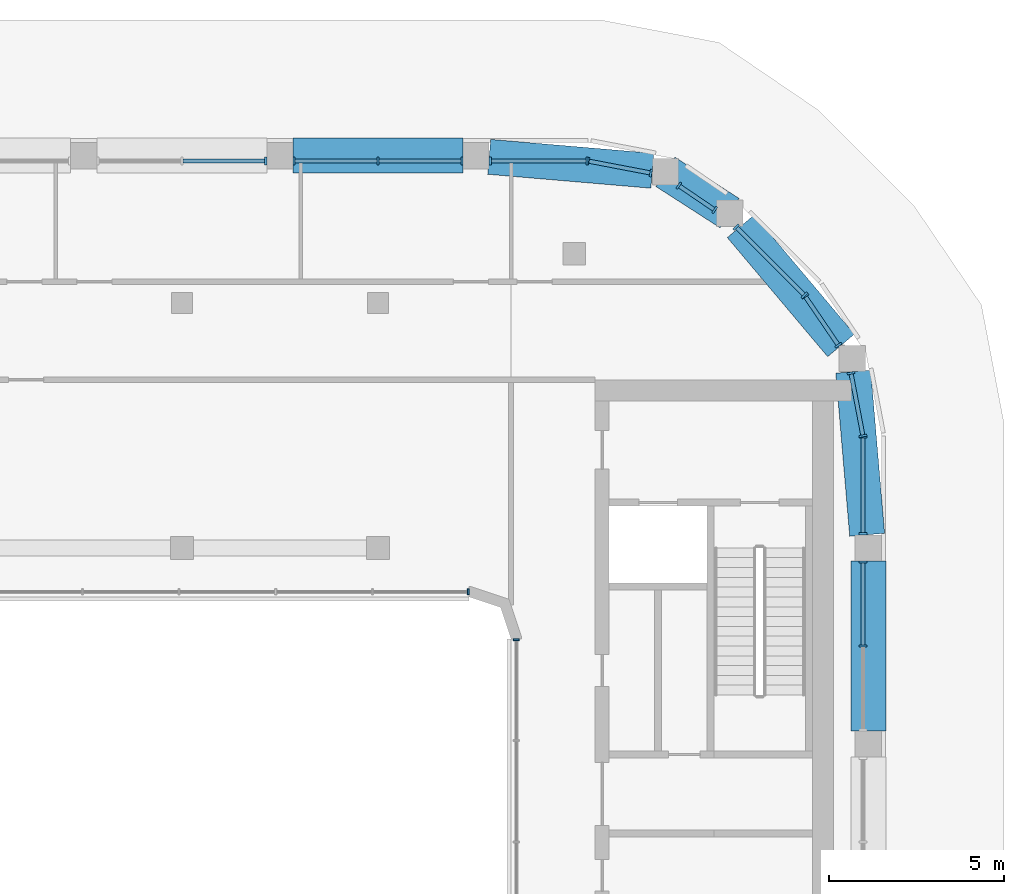
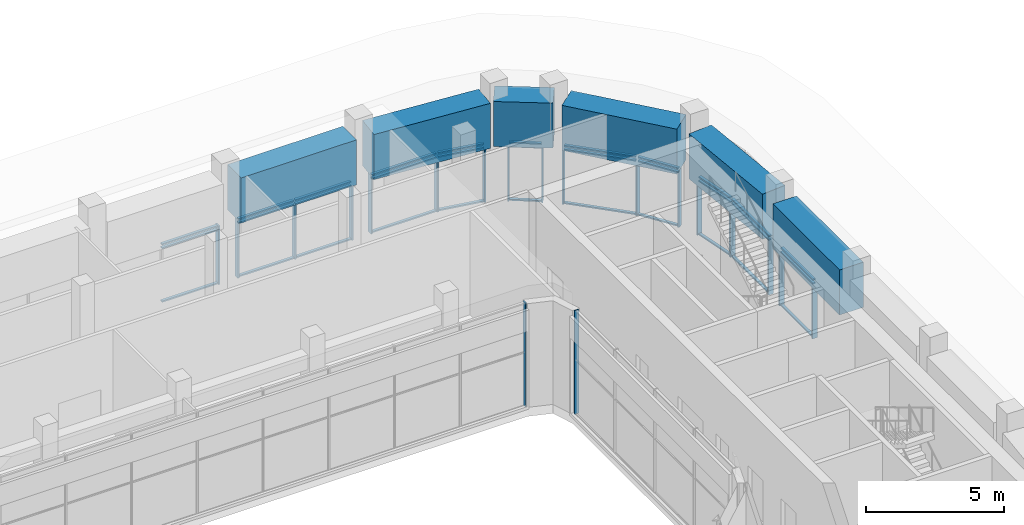
# One storey, part 9 of 23: 55 members, 6 beams, 12 elements without a shape of their own.
"""IFC4 building model written with IfcOpenShell, lengths in metres."""

from ifc_helpers import new_model, si_unit, direction, frame, origin, origin_2d, place, context, subcontext, project, spatial, rectangle, extrude, material, layer, layer_set, material_profile, profile_set, type_object, element, aggregate, save


model = new_model("IFC4")

# Units and contexts
model_context = context("Model", 3, precision=1e-05, world=origin(), true_north=direction((0.0, 1.0)))
body_context = subcontext(model_context, "Body", "Model", "MODEL_VIEW")
ifc_project = project(units=[si_unit("LENGTHUNIT", "METRE"), si_unit("AREAUNIT", "SQUARE_METRE"), si_unit("VOLUMEUNIT", "CUBIC_METRE"), si_unit("PLANEANGLEUNIT", "RADIAN"), si_unit("MASSUNIT", "GRAM", prefix="KILO")], contexts=[model_context])

# Site, building, storey
site_placement = place(None, origin())
site = spatial("IfcSite", under=ifc_project, at=site_placement, CompositionType="ELEMENT")
building_placement = place(site_placement, origin())
building = spatial("IfcBuilding", under=site, at=building_placement, Name="Kiln Ring Residences", CompositionType="ELEMENT")
storey_placement = place(building_placement, frame((0.0, 0.0, 294.5)))
storey = spatial("IfcBuildingStorey", under=building, at=storey_placement, Name="L76", CompositionType="ELEMENT", Elevation=294.5)

# Curtain wall, member
ifc_material_1 = material(Name="Aluminium and glass", Category="aluminium")
ifc_layer_1 = layer(ifc_material_1, 0.179931640625)
ifc_layer_set_1 = layer_set([ifc_layer_1], Name="CW3 CURTAIN WALL")
curtain_wall_type_1 = type_object("IfcCurtainWallType", Name="CW3 CURTAIN WALL", PredefinedType="NOTDEFINED", material=ifc_layer_set_1)
placement = place(storey_placement, origin())
curtain_wall_1 = element("IfcCurtainWall", 1, at=placement, inside=storey, type_object=curtain_wall_type_1, Name="Curtain wall CW3 L76", PredefinedType="NOTDEFINED")
ifc_material_2 = material(Name="Aluminium 6063-T6", Category="aluminium")
ifc_material_profile_1 = material_profile(ifc_material_2, rectangle(XDim=0.179931640625, YDim=0.050048828125, at=origin_2d()), Name="AL 180x50")
ifc_profile_set_1 = profile_set([ifc_material_profile_1], Name="Aluminium 6063-T6")
member_type_1 = type_object("IfcMemberType", Name="CW3 MULLION 180 x 50", PredefinedType="MULLION", material=ifc_profile_set_1)
member_1_placement = place(storey_placement, frame((13.77490234375, 7.14990234375, 0.0), z_axis=(0.0, 0.0, 1.0), x_axis=(0.0, 1.0, 0.0)))
member_1 = element("IfcMember", 2, at=member_1_placement, type_object=member_type_1, Name="CW3 mullion 11", PredefinedType="MULLION", context=body_context, shape_type="SweptSolid", body=[
    extrude(rectangle(XDim=0.179931640625, YDim=0.050048828125, at=origin_2d()), origin(), (0.0, 0.0, 1.0), 4.60009765625),
])
aggregate(curtain_wall_1, [member_1])

curtain_wall_2 = element("IfcCurtainWall", 3, at=placement, inside=storey, type_object=curtain_wall_type_1, Name="Curtain wall CW3 L76", PredefinedType="NOTDEFINED")
member_2_placement = place(storey_placement, frame((15.14990234375, 5.77490234375, 0.0), z_axis=(0.0, 0.0, 1.0), x_axis=(1.0, 0.0, 0.0)))
member_2 = element("IfcMember", 4, at=member_2_placement, type_object=member_type_1, Name="CW3 mullion 1", PredefinedType="MULLION", context=body_context, shape_type="SweptSolid", body=[
    extrude(rectangle(XDim=0.179931640625, YDim=0.050048828125, at=origin_2d()), origin(), (0.0, 0.0, 1.0), 4.60009765625),
])
aggregate(curtain_wall_2, [member_2])

# Curtain wall, members
ifc_material_3 = material(Name="Aluminium and glass", Category="aluminium")
ifc_layer_2 = layer(ifc_material_3, 0.219970703125)
ifc_layer_set_2 = layer_set([ifc_layer_2], Name="CW5 CURTAIN WALL")
curtain_wall_type_2 = type_object("IfcCurtainWallType", Name="CW5 CURTAIN WALL", PredefinedType="NOTDEFINED", material=ifc_layer_set_2)
curtain_wall_3 = element("IfcCurtainWall", 5, at=placement, inside=storey, type_object=curtain_wall_type_2, Name="Curtain wall CW5 L76", PredefinedType="NOTDEFINED")
ifc_material_4 = material(Name="Aluminium 6063-T6", Category="aluminium")
ifc_material_profile_2 = material_profile(ifc_material_4, rectangle(XDim=0.219970703125, YDim=0.06005859375, at=origin_2d()), Name="AL 220x60")
ifc_profile_set_2 = profile_set([ifc_material_profile_2], Name="Aluminium 6063-T6")
member_type_2 = type_object("IfcMemberType", Name="CW5 MULLION 220 x 60", PredefinedType="MULLION", material=ifc_profile_set_2)
member_3_placement = place(storey_placement, frame((25.050048828125, 5.60009765625, 0.0), z_axis=(0.0, 0.0, 1.0), x_axis=(-1.0, 0.0, 0.0)))
member_3 = element("IfcMember", 6, at=member_3_placement, type_object=member_type_2, Name="CW5 mullion 2", PredefinedType="MULLION", context=body_context, shape_type="SweptSolid", body=[
    extrude(rectangle(XDim=0.219970703125, YDim=0.06005859375, at=origin_2d()), origin(), (0.0, 0.0, 1.0), 2.60009765625),
])
member_4_placement = place(storey_placement, frame((25.050048828125, 7.9951171875, 0.0), z_axis=(0.0, 0.0, 1.0), x_axis=(-1.0, 0.0, 0.0)))
member_4 = element("IfcMember", 7, at=member_4_placement, type_object=member_type_2, Name="CW5 mullion 3", PredefinedType="MULLION", context=body_context, shape_type="SweptSolid", body=[
    extrude(rectangle(XDim=0.219970703125, YDim=0.06005859375, at=origin_2d()), origin(), (0.0, 0.0, 1.0), 2.60009765625),
])

curtain_wall_4 = element("IfcCurtainWall", 8, at=placement, inside=storey, type_object=curtain_wall_type_2, Name="Curtain wall CW5 L76", PredefinedType="NOTDEFINED")
member_5_placement = place(storey_placement, frame((25.050048828125, 8.804931640625, 0.0), z_axis=(0.0, 0.0, 1.0), x_axis=(-1.0, 0.0, 0.0)))
member_5 = element("IfcMember", 9, at=member_5_placement, type_object=member_type_2, Name="CW5 mullion 1", PredefinedType="MULLION", context=body_context, shape_type="SweptSolid", body=[
    extrude(rectangle(XDim=0.219970703125, YDim=0.06005859375, at=origin_2d()), origin(), (0.0, 0.0, 1.0), 2.60009765625),
])
member_6_placement = place(storey_placement, frame((25.050048828125, 11.570068359375, 0.0), z_axis=(0.0, 0.0, 1.0), x_axis=(-1.0, 0.0, 0.0)))
member_6 = element("IfcMember", 10, at=member_6_placement, type_object=member_type_2, Name="CW5 mullion 2", PredefinedType="MULLION", context=body_context, shape_type="SweptSolid", body=[
    extrude(rectangle(XDim=0.219970703125, YDim=0.06005859375, at=origin_2d()), origin(), (0.0, 0.0, 1.0), 2.60009765625),
])

curtain_wall_5 = element("IfcCurtainWall", 11, at=placement, inside=storey, type_object=curtain_wall_type_2, Name="Curtain wall CW5 L76", PredefinedType="NOTDEFINED")
member_7_placement = place(storey_placement, frame((25.047119140625, 11.601318359375, 0.0), z_axis=(0.0, 0.0, 1.0), x_axis=(-0.982290257784, -0.187365550364, 0.0)))
member_7 = element("IfcMember", 12, at=member_7_placement, type_object=member_type_2, Name="CW5 mullion 1", PredefinedType="MULLION", context=body_context, shape_type="SweptSolid", body=[
    extrude(rectangle(XDim=0.219970703125, YDim=0.06005859375, at=origin_2d()), origin(), (0.0, 0.0, 1.0), 2.60009765625),
])
member_8_placement = place(storey_placement, frame((24.705810546875, 13.39013671875, 0.0), z_axis=(0.0, 0.0, 1.0), x_axis=(-0.982290257784, -0.187365550364, 0.0)))
member_8 = element("IfcMember", 13, at=member_8_placement, type_object=member_type_2, Name="CW5 mullion 2", PredefinedType="MULLION", context=body_context, shape_type="SweptSolid", body=[
    extrude(rectangle(XDim=0.219970703125, YDim=0.06005859375, at=origin_2d()), origin(), (0.0, 0.0, 1.0), 2.60009765625),
])

curtain_wall_6 = element("IfcCurtainWall", 14, at=placement, inside=storey, type_object=curtain_wall_type_2, Name="Curtain wall CW5 L76", PredefinedType="NOTDEFINED")
member_9_placement = place(storey_placement, frame((24.34619140625, 14.189453125, 0.0), z_axis=(0.0, 0.0, 1.0), x_axis=(-0.827071553606, -0.562096651134, 0.0)))
member_9 = element("IfcMember", 15, at=member_9_placement, type_object=member_type_2, Name="CW5 mullion 1", PredefinedType="MULLION", context=body_context, shape_type="SweptSolid", body=[
    extrude(rectangle(XDim=0.219970703125, YDim=0.06005859375, at=origin_2d()), origin(), (0.0, 0.0, 1.0), 2.60009765625),
])
member_10_placement = place(storey_placement, frame((23.395751953125, 15.587890625, 0.0), z_axis=(0.0, 0.0, 1.0), x_axis=(-0.827071553606, -0.562096651134, 0.0)))
member_10 = element("IfcMember", 16, at=member_10_placement, type_object=member_type_2, Name="CW5 mullion 2", PredefinedType="MULLION", context=body_context, shape_type="SweptSolid", body=[
    extrude(rectangle(XDim=0.219970703125, YDim=0.06005859375, at=origin_2d()), origin(), (0.0, 0.0, 1.0), 2.60009765625),
])

curtain_wall_7 = element("IfcCurtainWall", 17, at=placement, inside=storey, type_object=curtain_wall_type_2, Name="Curtain wall CW5 L76", PredefinedType="NOTDEFINED")
member_11_placement = place(storey_placement, frame((23.375732421875, 15.6123046875, 0.0), z_axis=(0.0, 0.0, 1.0), x_axis=(-0.707106781187, -0.707106781187, 0.0)))
member_11 = element("IfcMember", 18, at=member_11_placement, type_object=member_type_2, Name="CW5 mullion 1", PredefinedType="MULLION", context=body_context, shape_type="SweptSolid", body=[
    extrude(rectangle(XDim=0.219970703125, YDim=0.06005859375, at=origin_2d()), origin(), (0.0, 0.0, 1.0), 2.60009765625),
])
member_12_placement = place(storey_placement, frame((21.42431640625, 17.5634765625, 0.0), z_axis=(0.0, 0.0, 1.0), x_axis=(-0.707106781187, -0.707106781187, 0.0)))
member_12 = element("IfcMember", 19, at=member_12_placement, type_object=member_type_2, Name="CW5 mullion 2", PredefinedType="MULLION", context=body_context, shape_type="SweptSolid", body=[
    extrude(rectangle(XDim=0.219970703125, YDim=0.06005859375, at=origin_2d()), origin(), (0.0, 0.0, 1.0), 2.60009765625),
])

curtain_wall_8 = element("IfcCurtainWall", 20, at=placement, inside=storey, type_object=curtain_wall_type_2, Name="Curtain wall CW5 L76", PredefinedType="NOTDEFINED")
member_13_placement = place(storey_placement, frame((20.8125, 18.051025390625, 0.0), z_axis=(0.0, 0.0, 1.0), x_axis=(-0.562096651033, -0.827071553674, 0.0)))
member_13 = element("IfcMember", 21, at=member_13_placement, type_object=member_type_2, Name="CW5 mullion 1", PredefinedType="MULLION", context=body_context, shape_type="SweptSolid", body=[
    extrude(rectangle(XDim=0.219970703125, YDim=0.06005859375, at=origin_2d()), origin(), (0.0, 0.0, 1.0), 2.60009765625),
])
member_14_placement = place(storey_placement, frame((19.789306640625, 18.746337890625, 0.0), z_axis=(0.0, 0.0, 1.0), x_axis=(-0.562096651033, -0.827071553674, 0.0)))
member_14 = element("IfcMember", 22, at=member_14_placement, type_object=member_type_2, Name="CW5 mullion 2", PredefinedType="MULLION", context=body_context, shape_type="SweptSolid", body=[
    extrude(rectangle(XDim=0.219970703125, YDim=0.06005859375, at=origin_2d()), origin(), (0.0, 0.0, 1.0), 2.60009765625),
])

curtain_wall_9 = element("IfcCurtainWall", 23, at=placement, inside=storey, type_object=curtain_wall_type_2, Name="Curtain wall CW5 L76", PredefinedType="NOTDEFINED")
member_15_placement = place(storey_placement, frame((18.990234375, 19.105712890625, 0.0), z_axis=(0.0, 0.0, 1.0), x_axis=(-0.187365550364, -0.982290257784, 0.0)))
member_15 = element("IfcMember", 24, at=member_15_placement, type_object=member_type_2, Name="CW5 mullion 1", PredefinedType="MULLION", context=body_context, shape_type="SweptSolid", body=[
    extrude(rectangle(XDim=0.219970703125, YDim=0.06005859375, at=origin_2d()), origin(), (0.0, 0.0, 1.0), 2.60009765625),
])
member_16_placement = place(storey_placement, frame((17.201416015625, 19.447021484375, 0.0), z_axis=(0.0, 0.0, 1.0), x_axis=(-0.187365550364, -0.982290257784, 0.0)))
member_16 = element("IfcMember", 25, at=member_16_placement, type_object=member_type_2, Name="CW5 mullion 2", PredefinedType="MULLION", context=body_context, shape_type="SweptSolid", body=[
    extrude(rectangle(XDim=0.219970703125, YDim=0.06005859375, at=origin_2d()), origin(), (0.0, 0.0, 1.0), 2.60009765625),
])

curtain_wall_10 = element("IfcCurtainWall", 26, at=placement, inside=storey, type_object=curtain_wall_type_2, Name="Curtain wall CW5 L76", PredefinedType="NOTDEFINED")
member_17_placement = place(storey_placement, frame((17.169921875, 19.449951171875, 0.0), z_axis=(0.0, 0.0, 1.0), x_axis=(0.0, -1.0, 0.0)))
member_17 = element("IfcMember", 27, at=member_17_placement, type_object=member_type_2, Name="CW5 mullion 1", PredefinedType="MULLION", context=body_context, shape_type="SweptSolid", body=[
    extrude(rectangle(XDim=0.219970703125, YDim=0.06005859375, at=origin_2d()), origin(), (0.0, 0.0, 1.0), 2.60009765625),
])
member_18_placement = place(storey_placement, frame((14.405029296875, 19.449951171875, 0.0), z_axis=(0.0, 0.0, 1.0), x_axis=(0.0, -1.0, 0.0)))
member_18 = element("IfcMember", 28, at=member_18_placement, type_object=member_type_2, Name="CW5 mullion 2", PredefinedType="MULLION", context=body_context, shape_type="SweptSolid", body=[
    extrude(rectangle(XDim=0.219970703125, YDim=0.06005859375, at=origin_2d()), origin(), (0.0, 0.0, 1.0), 2.60009765625),
])

curtain_wall_11 = element("IfcCurtainWall", 29, at=placement, inside=storey, type_object=curtain_wall_type_2, Name="Curtain wall CW5 L76", PredefinedType="NOTDEFINED")
member_19_placement = place(storey_placement, frame((13.594970703125, 19.449951171875, 0.0), z_axis=(0.0, 0.0, 1.0), x_axis=(0.0, -1.0, 0.0)))
member_19 = element("IfcMember", 30, at=member_19_placement, type_object=member_type_2, Name="CW5 mullion 1", PredefinedType="MULLION", context=body_context, shape_type="SweptSolid", body=[
    extrude(rectangle(XDim=0.219970703125, YDim=0.06005859375, at=origin_2d()), origin(), (0.0, 0.0, 1.0), 2.60009765625),
])
member_20_placement = place(storey_placement, frame((11.199951171875, 19.449951171875, 0.0), z_axis=(0.0, 0.0, 1.0), x_axis=(0.0, -1.0, 0.0)))
member_20 = element("IfcMember", 31, at=member_20_placement, type_object=member_type_2, Name="CW5 mullion 2", PredefinedType="MULLION", context=body_context, shape_type="SweptSolid", body=[
    extrude(rectangle(XDim=0.219970703125, YDim=0.06005859375, at=origin_2d()), origin(), (0.0, 0.0, 1.0), 2.60009765625),
])
member_21_placement = place(storey_placement, frame((8.804931640625, 19.449951171875, 0.0), z_axis=(0.0, 0.0, 1.0), x_axis=(0.0, -1.0, 0.0)))
member_21 = element("IfcMember", 32, at=member_21_placement, type_object=member_type_2, Name="CW5 mullion 3", PredefinedType="MULLION", context=body_context, shape_type="SweptSolid", body=[
    extrude(rectangle(XDim=0.219970703125, YDim=0.06005859375, at=origin_2d()), origin(), (0.0, 0.0, 1.0), 2.60009765625),
])

# Curtain wall, member
curtain_wall_12 = element("IfcCurtainWall", 33, at=placement, inside=storey, type_object=curtain_wall_type_2, Name="Curtain wall CW5 L76", PredefinedType="NOTDEFINED")
member_22_placement = place(storey_placement, frame((7.9951171875, 19.449951171875, 0.0), z_axis=(0.0, 0.0, 1.0), x_axis=(0.0, -1.0, 0.0)))
member_22 = element("IfcMember", 34, at=member_22_placement, type_object=member_type_2, Name="CW5 mullion 1", PredefinedType="MULLION", context=body_context, shape_type="SweptSolid", body=[
    extrude(rectangle(XDim=0.219970703125, YDim=0.06005859375, at=origin_2d()), origin(), (0.0, 0.0, 1.0), 2.60009765625),
])

# Member
ifc_material_5 = material(Name="Aluminium 6063-T6", Category="aluminium")
ifc_material_profile_3 = material_profile(ifc_material_5, rectangle(XDim=0.1201171875, YDim=0.06005859375, at=origin_2d()), Name="AL 120x60")
ifc_profile_set_3 = profile_set([ifc_material_profile_3], Name="Aluminium 6063-T6")
member_type_3 = type_object("IfcMemberType", Name="CW5 TRANSOM 120 x 60", PredefinedType="USERDEFINED", material=ifc_profile_set_3)
member_23_placement = place(storey_placement, frame((25.050048828125, 5.6298828125, 0.030029296875), z_axis=(0.0, 1.0, 0.0), x_axis=(-1.0, 0.0, 0.0)))
member_23 = element("IfcMember", 35, at=member_23_placement, type_object=member_type_3, Name="CW5 transom 2.1", ObjectType="TRANSOM", PredefinedType="USERDEFINED", context=body_context, shape_type="SweptSolid", body=[
    extrude(rectangle(XDim=0.1201171875, YDim=0.06005859375, at=origin_2d()), origin(), (0.0, 0.0, 1.0), 2.335205078125),
])

member_24_placement = place(storey_placement, frame((25.050048828125, 5.6298828125, 2.39990234375), z_axis=(0.0, 1.0, 0.0), x_axis=(-1.0, 0.0, 0.0)))
member_24 = element("IfcMember", 36, at=member_24_placement, type_object=member_type_3, Name="CW5 transom 2.2", ObjectType="TRANSOM", PredefinedType="USERDEFINED", context=body_context, shape_type="SweptSolid", body=[
    extrude(rectangle(XDim=0.1201171875, YDim=0.06005859375, at=origin_2d()), origin(), (0.0, 0.0, 1.0), 2.335205078125),
])

member_25_placement = place(storey_placement, frame((25.050048828125, 5.6298828125, 2.570068359375), z_axis=(0.0, 1.0, 0.0), x_axis=(-1.0, 0.0, 0.0)))
member_25 = element("IfcMember", 37, at=member_25_placement, type_object=member_type_3, Name="CW5 transom 2.3", ObjectType="TRANSOM", PredefinedType="USERDEFINED", context=body_context, shape_type="SweptSolid", body=[
    extrude(rectangle(XDim=0.1201171875, YDim=0.06005859375, at=origin_2d()), origin(), (0.0, 0.0, 1.0), 2.335205078125),
])

aggregate(curtain_wall_3, [member_3, member_4, member_23, member_24, member_25])

member_26_placement = place(storey_placement, frame((25.050048828125, 8.8349609375, 0.030029296875), z_axis=(0.0, 1.0, 0.0), x_axis=(-1.0, 0.0, 0.0)))
member_26 = element("IfcMember", 38, at=member_26_placement, type_object=member_type_3, Name="CW5 transom 1.1", ObjectType="TRANSOM", PredefinedType="USERDEFINED", context=body_context, shape_type="SweptSolid", body=[
    extrude(rectangle(XDim=0.1201171875, YDim=0.06005859375, at=origin_2d()), origin(), (0.0, 0.0, 1.0), 2.705078125),
])

member_27_placement = place(storey_placement, frame((25.050048828125, 8.8349609375, 2.39990234375), z_axis=(0.0, 1.0, 0.0), x_axis=(-1.0, 0.0, 0.0)))
member_27 = element("IfcMember", 39, at=member_27_placement, type_object=member_type_3, Name="CW5 transom 1.2", ObjectType="TRANSOM", PredefinedType="USERDEFINED", context=body_context, shape_type="SweptSolid", body=[
    extrude(rectangle(XDim=0.1201171875, YDim=0.06005859375, at=origin_2d()), origin(), (0.0, 0.0, 1.0), 2.705078125),
])

member_28_placement = place(storey_placement, frame((25.050048828125, 8.8349609375, 2.570068359375), z_axis=(0.0, 1.0, 0.0), x_axis=(-1.0, 0.0, 0.0)))
member_28 = element("IfcMember", 40, at=member_28_placement, type_object=member_type_3, Name="CW5 transom 1.3", ObjectType="TRANSOM", PredefinedType="USERDEFINED", context=body_context, shape_type="SweptSolid", body=[
    extrude(rectangle(XDim=0.1201171875, YDim=0.06005859375, at=origin_2d()), origin(), (0.0, 0.0, 1.0), 2.705078125),
])

aggregate(curtain_wall_4, [member_5, member_6, member_26, member_27, member_28])

member_29_placement = place(storey_placement, frame((25.04150390625, 11.630859375, 0.030029296875), z_axis=(-0.187417857375, 0.982280279114, 0.0), x_axis=(-0.982280279114, -0.187417857375, 0.0)))
member_29 = element("IfcMember", 41, at=member_29_placement, type_object=member_type_3, Name="CW5 transom 1.1", ObjectType="TRANSOM", PredefinedType="USERDEFINED", context=body_context, shape_type="SweptSolid", body=[
    extrude(rectangle(XDim=0.1201171875, YDim=0.06005859375, at=origin_2d()), origin(), (0.0, 0.0, 1.0), 1.76123046875),
])

member_30_placement = place(storey_placement, frame((25.04150390625, 11.630859375, 2.39990234375), z_axis=(-0.187417857375, 0.982280279114, 0.0), x_axis=(-0.982280279114, -0.187417857375, 0.0)))
member_30 = element("IfcMember", 42, at=member_30_placement, type_object=member_type_3, Name="CW5 transom 1.2", ObjectType="TRANSOM", PredefinedType="USERDEFINED", context=body_context, shape_type="SweptSolid", body=[
    extrude(rectangle(XDim=0.1201171875, YDim=0.06005859375, at=origin_2d()), origin(), (0.0, 0.0, 1.0), 1.76123046875),
])

member_31_placement = place(storey_placement, frame((25.04150390625, 11.630859375, 2.570068359375), z_axis=(-0.187417857375, 0.982280279114, 0.0), x_axis=(-0.982280279114, -0.187417857375, 0.0)))
member_31 = element("IfcMember", 43, at=member_31_placement, type_object=member_type_3, Name="CW5 transom 1.3", ObjectType="TRANSOM", PredefinedType="USERDEFINED", context=body_context, shape_type="SweptSolid", body=[
    extrude(rectangle(XDim=0.1201171875, YDim=0.06005859375, at=origin_2d()), origin(), (0.0, 0.0, 1.0), 1.76123046875),
])

aggregate(curtain_wall_5, [member_7, member_8, member_29, member_30, member_31])

member_32_placement = place(storey_placement, frame((24.329345703125, 14.214111328125, 0.030029296875), z_axis=(-0.562035692516, 0.827112979186, 0.0), x_axis=(-0.827112979186, -0.562035692516, 0.0)))
member_32 = element("IfcMember", 44, at=member_32_placement, type_object=member_type_3, Name="CW5 transom 1.1", ObjectType="TRANSOM", PredefinedType="USERDEFINED", context=body_context, shape_type="SweptSolid", body=[
    extrude(rectangle(XDim=0.1201171875, YDim=0.06005859375, at=origin_2d()), origin(), (0.0, 0.0, 1.0), 1.631103515625),
])

member_33_placement = place(storey_placement, frame((24.329345703125, 14.214111328125, 2.39990234375), z_axis=(-0.562035692516, 0.827112979186, 0.0), x_axis=(-0.827112979186, -0.562035692516, 0.0)))
member_33 = element("IfcMember", 45, at=member_33_placement, type_object=member_type_3, Name="CW5 transom 1.2", ObjectType="TRANSOM", PredefinedType="USERDEFINED", context=body_context, shape_type="SweptSolid", body=[
    extrude(rectangle(XDim=0.1201171875, YDim=0.06005859375, at=origin_2d()), origin(), (0.0, 0.0, 1.0), 1.631103515625),
])

member_34_placement = place(storey_placement, frame((24.329345703125, 14.214111328125, 2.570068359375), z_axis=(-0.562035692516, 0.827112979186, 0.0), x_axis=(-0.827112979186, -0.562035692516, 0.0)))
member_34 = element("IfcMember", 46, at=member_34_placement, type_object=member_type_3, Name="CW5 transom 1.3", ObjectType="TRANSOM", PredefinedType="USERDEFINED", context=body_context, shape_type="SweptSolid", body=[
    extrude(rectangle(XDim=0.1201171875, YDim=0.06005859375, at=origin_2d()), origin(), (0.0, 0.0, 1.0), 1.631103515625),
])

aggregate(curtain_wall_6, [member_9, member_10, member_32, member_33, member_34])

member_35_placement = place(storey_placement, frame((23.3544921875, 15.63330078125, 0.030029296875), z_axis=(-0.707061565419, 0.707151994063, 0.0), x_axis=(-0.707151994063, -0.707061565419, 0.0)))
member_35 = element("IfcMember", 47, at=member_35_placement, type_object=member_type_3, Name="CW5 transom 1.1", ObjectType="TRANSOM", PredefinedType="USERDEFINED", context=body_context, shape_type="SweptSolid", body=[
    extrude(rectangle(XDim=0.1201171875, YDim=0.06005859375, at=origin_2d()), origin(), (0.0, 0.0, 1.0), 2.69970703125),
])

member_36_placement = place(storey_placement, frame((23.3544921875, 15.63330078125, 2.39990234375), z_axis=(-0.707061565419, 0.707151994063, 0.0), x_axis=(-0.707151994063, -0.707061565419, 0.0)))
member_36 = element("IfcMember", 48, at=member_36_placement, type_object=member_type_3, Name="CW5 transom 1.2", ObjectType="TRANSOM", PredefinedType="USERDEFINED", context=body_context, shape_type="SweptSolid", body=[
    extrude(rectangle(XDim=0.1201171875, YDim=0.06005859375, at=origin_2d()), origin(), (0.0, 0.0, 1.0), 2.69970703125),
])

member_37_placement = place(storey_placement, frame((23.3544921875, 15.63330078125, 2.570068359375), z_axis=(-0.707061565419, 0.707151994063, 0.0), x_axis=(-0.707151994063, -0.707061565419, 0.0)))
member_37 = element("IfcMember", 49, at=member_37_placement, type_object=member_type_3, Name="CW5 transom 1.3", ObjectType="TRANSOM", PredefinedType="USERDEFINED", context=body_context, shape_type="SweptSolid", body=[
    extrude(rectangle(XDim=0.1201171875, YDim=0.06005859375, at=origin_2d()), origin(), (0.0, 0.0, 1.0), 2.69970703125),
])

aggregate(curtain_wall_7, [member_11, member_12, member_35, member_36, member_37])

member_38_placement = place(storey_placement, frame((20.78759765625, 18.06787109375, 0.030029296875), z_axis=(-0.827038372833, 0.562145470373, 0.0), x_axis=(-0.562145470373, -0.827038372833, 0.0)))
member_38 = element("IfcMember", 50, at=member_38_placement, type_object=member_type_3, Name="CW5 transom 1.1", ObjectType="TRANSOM", PredefinedType="USERDEFINED", context=body_context, shape_type="SweptSolid", body=[
    extrude(rectangle(XDim=0.1201171875, YDim=0.06005859375, at=origin_2d()), origin(), (0.0, 0.0, 1.0), 1.177001953125),
])

member_39_placement = place(storey_placement, frame((20.78759765625, 18.06787109375, 2.39990234375), z_axis=(-0.827038372833, 0.562145470373, 0.0), x_axis=(-0.562145470373, -0.827038372833, 0.0)))
member_39 = element("IfcMember", 51, at=member_39_placement, type_object=member_type_3, Name="CW5 transom 1.2", ObjectType="TRANSOM", PredefinedType="USERDEFINED", context=body_context, shape_type="SweptSolid", body=[
    extrude(rectangle(XDim=0.1201171875, YDim=0.06005859375, at=origin_2d()), origin(), (0.0, 0.0, 1.0), 1.177001953125),
])

member_40_placement = place(storey_placement, frame((20.78759765625, 18.06787109375, 2.570068359375), z_axis=(-0.827038372833, 0.562145470373, 0.0), x_axis=(-0.562145470373, -0.827038372833, 0.0)))
member_40 = element("IfcMember", 52, at=member_40_placement, type_object=member_type_3, Name="CW5 transom 1.3", ObjectType="TRANSOM", PredefinedType="USERDEFINED", context=body_context, shape_type="SweptSolid", body=[
    extrude(rectangle(XDim=0.1201171875, YDim=0.06005859375, at=origin_2d()), origin(), (0.0, 0.0, 1.0), 1.177001953125),
])

aggregate(curtain_wall_8, [member_13, member_14, member_38, member_39, member_40])

member_41_placement = place(storey_placement, frame((18.960693359375, 19.111328125, 0.030029296875), z_axis=(-0.982280279114, 0.187417857375, 0.0), x_axis=(-0.187417857375, -0.982280279114, 0.0)))
member_41 = element("IfcMember", 53, at=member_41_placement, type_object=member_type_3, Name="CW5 transom 1.1", ObjectType="TRANSOM", PredefinedType="USERDEFINED", context=body_context, shape_type="SweptSolid", body=[
    extrude(rectangle(XDim=0.1201171875, YDim=0.06005859375, at=origin_2d()), origin(), (0.0, 0.0, 1.0), 1.76123046875),
])

member_42_placement = place(storey_placement, frame((18.960693359375, 19.111328125, 2.39990234375), z_axis=(-0.982280279114, 0.187417857375, 0.0), x_axis=(-0.187417857375, -0.982280279114, 0.0)))
member_42 = element("IfcMember", 54, at=member_42_placement, type_object=member_type_3, Name="CW5 transom 1.2", ObjectType="TRANSOM", PredefinedType="USERDEFINED", context=body_context, shape_type="SweptSolid", body=[
    extrude(rectangle(XDim=0.1201171875, YDim=0.06005859375, at=origin_2d()), origin(), (0.0, 0.0, 1.0), 1.76123046875),
])

member_43_placement = place(storey_placement, frame((18.960693359375, 19.111328125, 2.570068359375), z_axis=(-0.982280279114, 0.187417857375, 0.0), x_axis=(-0.187417857375, -0.982280279114, 0.0)))
member_43 = element("IfcMember", 55, at=member_43_placement, type_object=member_type_3, Name="CW5 transom 1.3", ObjectType="TRANSOM", PredefinedType="USERDEFINED", context=body_context, shape_type="SweptSolid", body=[
    extrude(rectangle(XDim=0.1201171875, YDim=0.06005859375, at=origin_2d()), origin(), (0.0, 0.0, 1.0), 1.76123046875),
])

aggregate(curtain_wall_9, [member_15, member_16, member_41, member_42, member_43])

member_44_placement = place(storey_placement, frame((17.139892578125, 19.449951171875, 0.030029296875), z_axis=(-1.0, 0.0, 0.0), x_axis=(0.0, -1.0, 0.0)))
member_44 = element("IfcMember", 56, at=member_44_placement, type_object=member_type_3, Name="CW5 transom 1.1", ObjectType="TRANSOM", PredefinedType="USERDEFINED", context=body_context, shape_type="SweptSolid", body=[
    extrude(rectangle(XDim=0.1201171875, YDim=0.06005859375, at=origin_2d()), origin(), (0.0, 0.0, 1.0), 2.704833984375),
])

member_45_placement = place(storey_placement, frame((17.139892578125, 19.449951171875, 2.39990234375), z_axis=(-1.0, 0.0, 0.0), x_axis=(0.0, -1.0, 0.0)))
member_45 = element("IfcMember", 57, at=member_45_placement, type_object=member_type_3, Name="CW5 transom 1.2", ObjectType="TRANSOM", PredefinedType="USERDEFINED", context=body_context, shape_type="SweptSolid", body=[
    extrude(rectangle(XDim=0.1201171875, YDim=0.06005859375, at=origin_2d()), origin(), (0.0, 0.0, 1.0), 2.704833984375),
])

member_46_placement = place(storey_placement, frame((17.139892578125, 19.449951171875, 2.570068359375), z_axis=(-1.0, 0.0, 0.0), x_axis=(0.0, -1.0, 0.0)))
member_46 = element("IfcMember", 58, at=member_46_placement, type_object=member_type_3, Name="CW5 transom 1.3", ObjectType="TRANSOM", PredefinedType="USERDEFINED", context=body_context, shape_type="SweptSolid", body=[
    extrude(rectangle(XDim=0.1201171875, YDim=0.06005859375, at=origin_2d()), origin(), (0.0, 0.0, 1.0), 2.704833984375),
])

aggregate(curtain_wall_10, [member_17, member_18, member_44, member_45, member_46])

member_47_placement = place(storey_placement, frame((13.56494140625, 19.449951171875, 0.030029296875), z_axis=(-1.0, 0.0, 0.0), x_axis=(0.0, -1.0, 0.0)))
member_47 = element("IfcMember", 59, at=member_47_placement, type_object=member_type_3, Name="CW5 transom 1.1", ObjectType="TRANSOM", PredefinedType="USERDEFINED", context=body_context, shape_type="SweptSolid", body=[
    extrude(rectangle(XDim=0.1201171875, YDim=0.06005859375, at=origin_2d()), origin(), (0.0, 0.0, 1.0), 2.3349609375),
])

member_48_placement = place(storey_placement, frame((13.56494140625, 19.449951171875, 2.39990234375), z_axis=(-1.0, 0.0, 0.0), x_axis=(0.0, -1.0, 0.0)))
member_48 = element("IfcMember", 60, at=member_48_placement, type_object=member_type_3, Name="CW5 transom 1.2", ObjectType="TRANSOM", PredefinedType="USERDEFINED", context=body_context, shape_type="SweptSolid", body=[
    extrude(rectangle(XDim=0.1201171875, YDim=0.06005859375, at=origin_2d()), origin(), (0.0, 0.0, 1.0), 2.3349609375),
])

member_49_placement = place(storey_placement, frame((13.56494140625, 19.449951171875, 2.570068359375), z_axis=(-1.0, 0.0, 0.0), x_axis=(0.0, -1.0, 0.0)))
member_49 = element("IfcMember", 61, at=member_49_placement, type_object=member_type_3, Name="CW5 transom 1.3", ObjectType="TRANSOM", PredefinedType="USERDEFINED", context=body_context, shape_type="SweptSolid", body=[
    extrude(rectangle(XDim=0.1201171875, YDim=0.06005859375, at=origin_2d()), origin(), (0.0, 0.0, 1.0), 2.3349609375),
])

member_50_placement = place(storey_placement, frame((11.169921875, 19.449951171875, 0.030029296875), z_axis=(-1.0, 0.0, 0.0), x_axis=(0.0, -1.0, 0.0)))
member_50 = element("IfcMember", 62, at=member_50_placement, type_object=member_type_3, Name="CW5 transom 2.1", ObjectType="TRANSOM", PredefinedType="USERDEFINED", context=body_context, shape_type="SweptSolid", body=[
    extrude(rectangle(XDim=0.1201171875, YDim=0.06005859375, at=origin_2d()), origin(), (0.0, 0.0, 1.0), 2.3349609375),
])

member_51_placement = place(storey_placement, frame((11.169921875, 19.449951171875, 2.39990234375), z_axis=(-1.0, 0.0, 0.0), x_axis=(0.0, -1.0, 0.0)))
member_51 = element("IfcMember", 63, at=member_51_placement, type_object=member_type_3, Name="CW5 transom 2.2", ObjectType="TRANSOM", PredefinedType="USERDEFINED", context=body_context, shape_type="SweptSolid", body=[
    extrude(rectangle(XDim=0.1201171875, YDim=0.06005859375, at=origin_2d()), origin(), (0.0, 0.0, 1.0), 2.3349609375),
])

member_52_placement = place(storey_placement, frame((11.169921875, 19.449951171875, 2.570068359375), z_axis=(-1.0, 0.0, 0.0), x_axis=(0.0, -1.0, 0.0)))
member_52 = element("IfcMember", 64, at=member_52_placement, type_object=member_type_3, Name="CW5 transom 2.3", ObjectType="TRANSOM", PredefinedType="USERDEFINED", context=body_context, shape_type="SweptSolid", body=[
    extrude(rectangle(XDim=0.1201171875, YDim=0.06005859375, at=origin_2d()), origin(), (0.0, 0.0, 1.0), 2.3349609375),
])

aggregate(curtain_wall_11, [member_19, member_20, member_21, member_47, member_48, member_49, member_50, member_51, member_52])

member_53_placement = place(storey_placement, frame((7.965087890625, 19.449951171875, 0.030029296875), z_axis=(-1.0, 0.0, 0.0), x_axis=(0.0, -1.0, 0.0)))
member_53 = element("IfcMember", 65, at=member_53_placement, type_object=member_type_3, Name="CW5 transom 1.1", ObjectType="TRANSOM", PredefinedType="USERDEFINED", context=body_context, shape_type="SweptSolid", body=[
    extrude(rectangle(XDim=0.1201171875, YDim=0.06005859375, at=origin_2d()), origin(), (0.0, 0.0, 1.0), 2.335205078125),
])

member_54_placement = place(storey_placement, frame((7.965087890625, 19.449951171875, 2.39990234375), z_axis=(-1.0, 0.0, 0.0), x_axis=(0.0, -1.0, 0.0)))
member_54 = element("IfcMember", 66, at=member_54_placement, type_object=member_type_3, Name="CW5 transom 1.2", ObjectType="TRANSOM", PredefinedType="USERDEFINED", context=body_context, shape_type="SweptSolid", body=[
    extrude(rectangle(XDim=0.1201171875, YDim=0.06005859375, at=origin_2d()), origin(), (0.0, 0.0, 1.0), 2.335205078125),
])

member_55_placement = place(storey_placement, frame((7.965087890625, 19.449951171875, 2.570068359375), z_axis=(-1.0, 0.0, 0.0), x_axis=(0.0, -1.0, 0.0)))
member_55 = element("IfcMember", 67, at=member_55_placement, type_object=member_type_3, Name="CW5 transom 1.3", ObjectType="TRANSOM", PredefinedType="USERDEFINED", context=body_context, shape_type="SweptSolid", body=[
    extrude(rectangle(XDim=0.1201171875, YDim=0.06005859375, at=origin_2d()), origin(), (0.0, 0.0, 1.0), 2.335205078125),
])

aggregate(curtain_wall_12, [member_22, member_53, member_54, member_55])

# Beams
ifc_material_6 = material(Name="Concrete C70/85", Category="concrete")
ifc_material_profile_4 = material_profile(ifc_material_6, rectangle(XDim=1.0, YDim=2.0, at=origin_2d()), Name="RC1000x2000")
ifc_profile_set_4 = profile_set([ifc_material_profile_4], Name="Concrete C70/85")
beam_type = type_object("IfcBeamType", Name="Transfer girder RC1000x2000 C70/85", PredefinedType="BEAM", material=ifc_profile_set_4)
beam_1_placement = place(storey_placement, frame((25.199951171875, 3.175048828125, 3.60009765625), z_axis=(0.0, 1.0, 0.0), x_axis=(-1.0, 0.0, 0.0)))
element("IfcBeam", 68, at=beam_1_placement, inside=storey, type_object=beam_type, Name="Transfer girder L76 13", PredefinedType="BEAM", context=body_context, shape_type="SweptSolid", body=[
    extrude(rectangle(XDim=1.0, YDim=2.0, at=origin_2d()), origin(), (0.0, 0.0, 1.0), 4.849853515625),
])
beam_2_placement = place(storey_placement, frame((25.16796875, 8.77490234375, 3.60009765625), z_axis=(-0.085110864913, 0.996371487285, 0.0), x_axis=(-0.996371487285, -0.085110864913, 0.0)))
element("IfcBeam", 69, at=beam_2_placement, inside=storey, type_object=beam_type, Name="Transfer girder L76 14", PredefinedType="BEAM", context=body_context, shape_type="SweptSolid", body=[
    extrude(rectangle(XDim=1.0, YDim=2.0, at=origin_2d()), origin(), (0.0, 0.0, 1.0), 4.675537109375),
])
beam_3_placement = place(storey_placement, frame((24.422119140625, 14.18359375, 3.60009765625), z_axis=(-0.644380815325, 0.764704756648, 0.0), x_axis=(-0.764704756648, -0.644380815325, 0.0)))
element("IfcBeam", 70, at=beam_3_placement, inside=storey, type_object=beam_type, Name="Transfer girder L76 15", PredefinedType="BEAM", context=body_context, shape_type="SweptSolid", body=[
    extrude(rectangle(XDim=1.0, YDim=2.0, at=origin_2d()), origin(), (0.0, 0.0, 1.0), 4.447509765625),
])
beam_4_placement = place(storey_placement, frame((21.240234375, 17.959716796875, 3.60009765625), z_axis=(-0.840959876115, 0.541097483605, 0.0), x_axis=(-0.541097483605, -0.840959876115, 0.0)))
element("IfcBeam", 71, at=beam_4_placement, inside=storey, type_object=beam_type, Name="Transfer girder L76 16", PredefinedType="BEAM", context=body_context, shape_type="SweptSolid", body=[
    extrude(rectangle(XDim=1.0, YDim=2.0, at=origin_2d()), origin(), (0.0, 0.0, 1.0), 2.177978515625),
])
beam_5_placement = place(storey_placement, frame((19.03369140625, 19.170166015625, 3.60009765625), z_axis=(-0.996375913916, 0.085059027553, 0.0), x_axis=(-0.085059027553, -0.996375913916, 0.0)))
element("IfcBeam", 72, at=beam_5_placement, inside=storey, type_object=beam_type, Name="Transfer girder L76 17", PredefinedType="BEAM", context=body_context, shape_type="SweptSolid", body=[
    extrude(rectangle(XDim=1.0, YDim=2.0, at=origin_2d()), origin(), (0.0, 0.0, 1.0), 4.675537109375),
])
beam_6_placement = place(storey_placement, frame((13.625, 19.60009765625, 3.60009765625), z_axis=(-1.0, 0.0, 0.0), x_axis=(0.0, -1.0, 0.0)))
element("IfcBeam", 73, at=beam_6_placement, inside=storey, type_object=beam_type, Name="Transfer girder L76 18", PredefinedType="BEAM", context=body_context, shape_type="SweptSolid", body=[
    extrude(rectangle(XDim=1.0, YDim=2.0, at=origin_2d()), origin(), (0.0, 0.0, 1.0), 4.85009765625),
])

save(model, "model.ifc")
